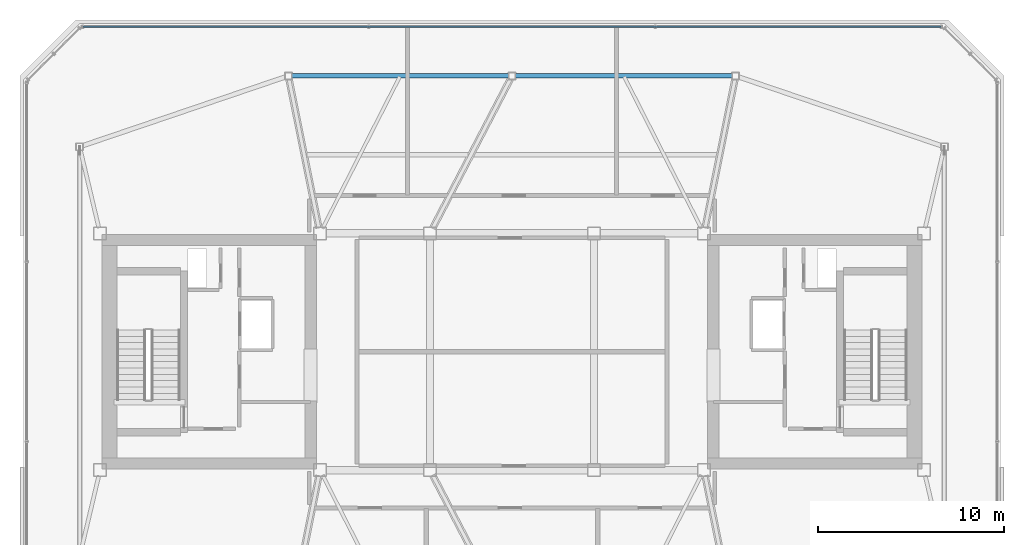
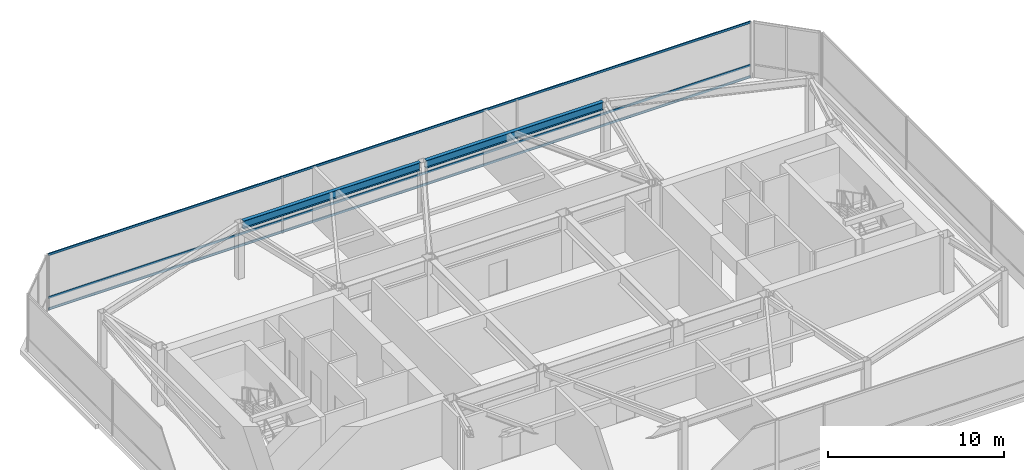
# One storey, part 15 of 22: 3 members, 2 beams, 1 element without a shape of its own.
"""IFC4 building model written with IfcOpenShell, lengths in metres."""

from ifc_helpers import new_model, si_unit, direction, frame, origin, origin_2d, place, context, subcontext, project, spatial, hollow_rectangle, i_section, extrude, material, layer, layer_set, material_profile, profile_set, type_object, element, aggregate, save


model = new_model("IFC4")

# Units and contexts
model_context = context("Model", 3, precision=1e-05, world=origin(), true_north=direction((0.0, 1.0)))
body_context = subcontext(model_context, "Body", "Model", "MODEL_VIEW")
ifc_project = project(units=[si_unit("LENGTHUNIT", "METRE"), si_unit("AREAUNIT", "SQUARE_METRE"), si_unit("VOLUMEUNIT", "CUBIC_METRE"), si_unit("PLANEANGLEUNIT", "RADIAN"), si_unit("MASSUNIT", "GRAM", prefix="KILO")], contexts=[model_context])

# Site, building, storey
site_placement = place(None, origin())
site = spatial("IfcSite", under=ifc_project, at=site_placement, CompositionType="ELEMENT")
building_placement = place(site_placement, origin())
building = spatial("IfcBuilding", under=site, at=building_placement, Name="Tavrogorsk Clinical Tower", CompositionType="ELEMENT")
storey_placement = place(building_placement, frame((0.0, 0.0, 352.800048828125)))
storey = spatial("IfcBuildingStorey", under=building, at=storey_placement, Name="L82", CompositionType="ELEMENT", Elevation=352.800048828125)

# Curtain wall, members
ifc_material_1 = material(Name="Anodised aluminium and triple IGU glazing", Category="aluminium")
ifc_layer = layer(ifc_material_1, 0.179931640625)
ifc_layer_set = layer_set([ifc_layer], Name="Anodised aluminium and triple IGU glazing")
curtain_wall_type = type_object("IfcCurtainWallType", Name="CW5_SkyLobby", PredefinedType="NOTDEFINED", material=ifc_layer_set)
curtain_wall_placement = place(storey_placement, origin())
curtain_wall = element("IfcCurtainWall", 1, at=curtain_wall_placement, inside=storey, type_object=curtain_wall_type, Name="L82 Curtain Wall CW-L82-DRUM-4", PredefinedType="NOTDEFINED")
ifc_material_2 = material(Name="Anodised aluminium alloy AW-6060", Category="aluminium")
ifc_material_profile_1 = material_profile(ifc_material_2, hollow_rectangle(XDim=0.074951171875, YDim=0.14990234375, WallThickness=0.0048828125, at=origin_2d()), Name="RHS-150x75x5")
ifc_profile_set_1 = profile_set([ifc_material_profile_1], Name="Anodised aluminium alloy AW-6060")
member_type = type_object("IfcMemberType", Name="CwTransom_150x75", PredefinedType="USERDEFINED", material=ifc_profile_set_1)
member_1_placement = place(storey_placement, frame((-23.02880859375, 17.43994140625, 0.050048828125), z_axis=(1.0, 0.0, 0.0), x_axis=(0.0, 1.0, 0.0)))
member_1 = element("IfcMember", 2, at=member_1_placement, type_object=member_type, Name="CW-L82-DRUM-4 Transom 1", ObjectType="TRANSOM", PredefinedType="USERDEFINED", context=body_context, shape_type="SweptSolid", body=[
    extrude(hollow_rectangle(XDim=0.074951171875, YDim=0.14990234375, WallThickness=0.0048828125, at=origin_2d()), origin(), (0.0, 0.0, 1.0), 46.0576171875),
])
member_2_placement = place(storey_placement, frame((-23.02880859375, 17.43994140625, 0.849853515625), z_axis=(1.0, 0.0, 0.0), x_axis=(0.0, 1.0, 0.0)))
member_2 = element("IfcMember", 3, at=member_2_placement, type_object=member_type, Name="CW-L82-DRUM-4 Transom 2", ObjectType="TRANSOM", PredefinedType="USERDEFINED", context=body_context, shape_type="SweptSolid", body=[
    extrude(hollow_rectangle(XDim=0.074951171875, YDim=0.14990234375, WallThickness=0.0048828125, at=origin_2d()), origin(), (0.0, 0.0, 1.0), 46.0576171875),
])
member_3_placement = place(storey_placement, frame((-23.02880859375, 17.43994140625, 3.829833984375), z_axis=(1.0, 0.0, 0.0), x_axis=(0.0, 1.0, 0.0)))
member_3 = element("IfcMember", 4, at=member_3_placement, type_object=member_type, Name="CW-L82-DRUM-4 Transom 3", ObjectType="TRANSOM", PredefinedType="USERDEFINED", context=body_context, shape_type="SweptSolid", body=[
    extrude(hollow_rectangle(XDim=0.074951171875, YDim=0.14990234375, WallThickness=0.0048828125, at=origin_2d()), origin(), (0.0, 0.0, 1.0), 46.0576171875),
])
aggregate(curtain_wall, [member_1, member_2, member_3])

# Beams
ifc_material_3 = material(Name="Structural steel S390", Category="steel")
ifc_material_profile_2 = material_profile(ifc_material_3, i_section(OverallWidth=0.239990234375, OverallDepth=0.550048828125, WebThickness=0.013916015625, FlangeThickness=0.02197265625, at=origin_2d()), Name="B-550x240x14x22")
ifc_profile_set_2 = profile_set([ifc_material_profile_2], Name="Structural steel S390")
beam_type = type_object("IfcBeamType", Name="SpandrelBeam_B550", PredefinedType="SPANDREL", material=ifc_profile_set_2)
for number, where, z_axis, x_axis, name in (
    (5, (11.81005859375, 14.800048828125, 3.60498046875), (-1.0, 0.0, 0.0), (0.0, -1.0, 0.0), "L82 Crown Spandrel Beam 06"),
    (6, (-0.18994140625, 14.800048828125, 3.60498046875), (-1.0, 0.0, 0.0), (0.0, -1.0, 0.0), "L82 Crown Spandrel Beam 07"),
):
    element("IfcBeam", number, at=place(storey_placement, frame(where, z_axis=z_axis, x_axis=x_axis)), inside=storey, type_object=beam_type, Name=name, PredefinedType="SPANDREL", context=body_context, shape_type="SweptSolid", body=[
        extrude(i_section(OverallWidth=0.239990234375, OverallDepth=0.550048828125, WebThickness=0.013916015625, FlangeThickness=0.02197265625, at=origin_2d()), origin(), (0.0, 0.0, 1.0), 11.6201171875),
    ])

save(model, "model.ifc")
